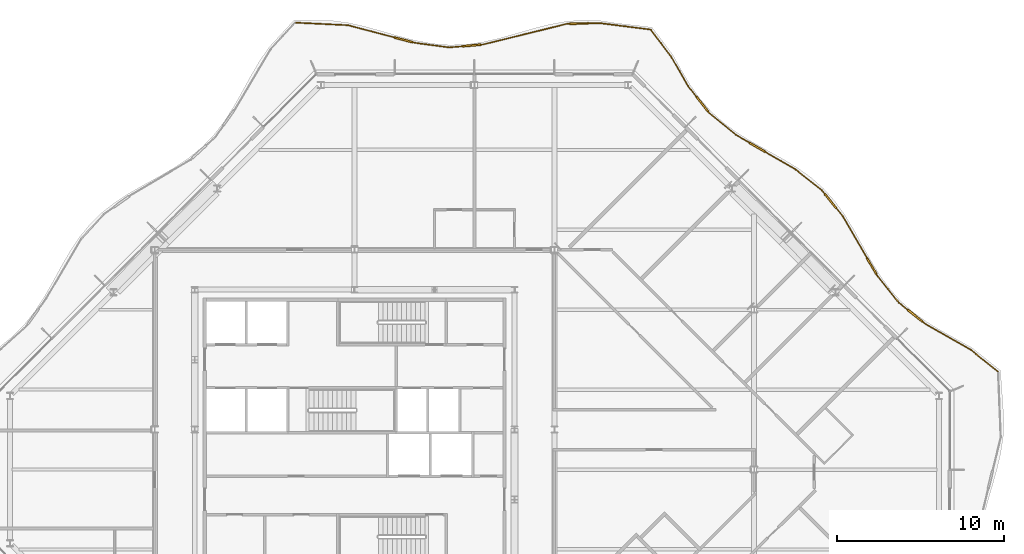
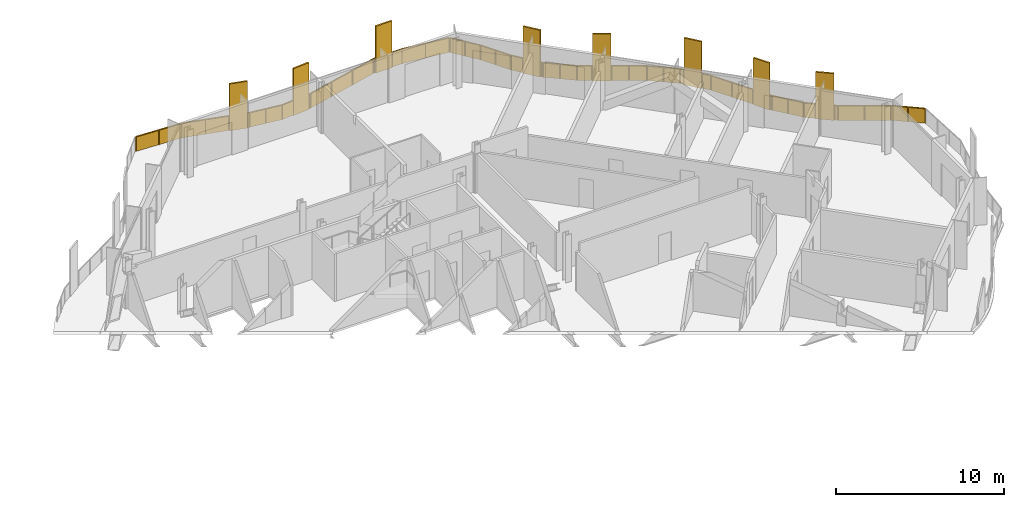
# One storey, part 17 of 17: 2 railings.
"""IFC4 building model written with IfcOpenShell, lengths in metres."""

from ifc_helpers import new_model, si_unit, direction, frame, origin, origin_2d, place, context, subcontext, project, spatial, polyline, rectangle, outline, extrude, material, type_object, element, save


model = new_model("IFC4")

# Units and contexts
model_context = context("Model", 3, precision=1e-05, world=origin(), true_north=direction((0.0, 1.0)))
body_context = subcontext(model_context, "Body", "Model", "MODEL_VIEW")
ifc_project = project(units=[si_unit("LENGTHUNIT", "METRE"), si_unit("AREAUNIT", "SQUARE_METRE"), si_unit("VOLUMEUNIT", "CUBIC_METRE"), si_unit("PLANEANGLEUNIT", "RADIAN"), si_unit("MASSUNIT", "GRAM", prefix="KILO")], contexts=[model_context])

# Site, building, storey
site_placement = place(None, origin())
site = spatial("IfcSite", under=ifc_project, at=site_placement, CompositionType="ELEMENT")
building_placement = place(site_placement, origin())
building = spatial("IfcBuilding", under=site, at=building_placement, Name="Cairn Pilgrim Tower", CompositionType="ELEMENT")
storey_placement = place(building_placement, frame((0.0, 0.0, 246.60009765625)))
storey = spatial("IfcBuildingStorey", under=building, at=storey_placement, Name="L63", CompositionType="ELEMENT", Elevation=246.60009765625)

# Railings
ifc_material = material(Name="Bronze anodised aluminium rail, posts and fin screens with laminated glass infill", Category="aluminium")
railing_type = type_object("IfcRailingType", Name="BALCONY GUARD WITH FIN SCREENS", PredefinedType="GUARDRAIL", material=ifc_material)
railing_1_placement = place(storey_placement, frame((45.8427734375, 5.88134765625, 0.0)))
element("IfcRailing", 1, at=railing_1_placement, inside=storey, type_object=railing_type, Name="Balcony guard BGF-4 with fin screens", PredefinedType="GUARDRAIL", context=body_context, shape_type="SweptSolid", body=[
    extrude(rectangle(XDim=0.050048828125, YDim=0.050048828125, at=origin_2d()), frame((0.0, 0.0, 1.0751953125), z_axis=(-0.781346220127, 0.624097816286, 0.0), x_axis=(-0.624097816286, -0.781346220127, 0.0)), (0.0, 0.0, 1.0), 2.094482421875),
    extrude(rectangle(XDim=0.050048828125, YDim=0.050048828125, at=origin_2d()), frame((-1.636474609375, 1.30712890625, 1.0751953125), z_axis=(-0.868344011313, 0.495962375606, 0.0), x_axis=(-0.495962375606, -0.868344011313, 0.0)), (0.0, 0.0, 1.0), 3.127197265625),
    extrude(rectangle(XDim=1.10009765625, YDim=0.110107421875, at=origin_2d()), frame((-4.976806640625, 3.357177734375, 0.0), z_axis=(0.0, 0.0, 1.0), x_axis=(-0.781251676118, 0.62421616333, 0.0)), (0.0, 0.0, 1.0), 3.39990234375),
    extrude(rectangle(XDim=0.050048828125, YDim=0.050048828125, at=origin_2d()), frame((-4.35205078125, 2.858154296875, 1.0751953125), z_axis=(-0.781251676118, 0.62421616333, 0.0), x_axis=(-0.62421616333, -0.781251676118, 0.0)), (0.0, 0.0, 1.0), 0.24951171875),
    extrude(rectangle(XDim=0.050048828125, YDim=0.050048828125, at=origin_2d()), frame((-5.406494140625, 3.70068359375, 1.0751953125), z_axis=(-0.781251676118, 0.62421616333, 0.0), x_axis=(-0.62421616333, -0.781251676118, 0.0)), (0.0, 0.0, 1.0), 0.70263671875),
    extrude(rectangle(XDim=0.050048828125, YDim=0.050048828125, at=origin_2d()), frame((-5.955322265625, 4.13916015625, 1.0751953125), z_axis=(-0.626348485432, 0.779543183408, 0.0), x_axis=(-0.779543183408, -0.626348485432, 0.0)), (0.0, 0.0, 1.0), 2.051025390625),
    extrude(rectangle(XDim=1.10009765625, YDim=0.110107421875, at=origin_2d()), frame((-7.591796875, 6.343505859375, 0.0), z_axis=(0.0, 0.0, 1.0), x_axis=(-0.502513380926, 0.864569431561, 0.0)), (0.0, 0.0, 1.0), 3.39990234375),
    extrude(rectangle(XDim=0.050048828125, YDim=0.050048828125, at=origin_2d()), frame((-7.239990234375, 5.738037109375, 1.0751953125), z_axis=(-0.502513380926, 0.864569431561, 0.0), x_axis=(-0.864569431561, -0.502513380926, 0.0)), (0.0, 0.0, 1.0), 0.150146484375),
    extrude(rectangle(XDim=0.050048828125, YDim=0.050048828125, at=origin_2d()), frame((-7.8681640625, 6.81884765625, 1.0751953125), z_axis=(-0.502513380926, 0.864569431561, 0.0), x_axis=(-0.864569431561, -0.502513380926, 0.0)), (0.0, 0.0, 1.0), 2.910888671875),
    extrude(rectangle(XDim=1.10009765625, YDim=0.110107421875, at=origin_2d()), frame((-10.06298828125, 10.2431640625, 0.0), z_axis=(0.0, 0.0, 1.0), x_axis=(-0.627824211501, 0.778355162797, 0.0)), (0.0, 0.0, 1.0), 3.39990234375),
    extrude(rectangle(XDim=0.050048828125, YDim=0.050048828125, at=origin_2d()), frame((-9.3310546875, 9.335693359375, 1.0751953125), z_axis=(-0.627824211501, 0.778355162797, 0.0), x_axis=(-0.778355162797, -0.627824211501, 0.0)), (0.0, 0.0, 1.0), 0.61572265625),
    extrude(rectangle(XDim=0.050048828125, YDim=0.050048828125, at=origin_2d()), frame((-10.408203125, 10.671142578125, 1.0751953125), z_axis=(-0.627824211501, 0.778355162797, 0.0), x_axis=(-0.778355162797, -0.627824211501, 0.0)), (0.0, 0.0, 1.0), 0.279052734375),
    extrude(rectangle(XDim=0.050048828125, YDim=0.050048828125, at=origin_2d()), frame((-10.58349609375, 10.888427734375, 1.0751953125), z_axis=(-0.782429083049, 0.622739696823, 0.0), x_axis=(-0.622739696823, -0.782429083049, 0.0)), (0.0, 0.0, 1.0), 1.99658203125),
    extrude(rectangle(XDim=1.10009765625, YDim=0.110107421875, at=origin_2d()), frame((-14.457275390625, 13.475341796875, 0.0), z_axis=(0.0, 0.0, 1.0), x_axis=(-0.864562899529, 0.502524619056, 0.0)), (0.0, 0.0, 1.0), 3.39990234375),
    extrude(rectangle(XDim=0.050048828125, YDim=0.050048828125, at=origin_2d()), frame((-12.145751953125, 12.1318359375, 1.0751953125), z_axis=(-0.864562899529, 0.502524619056, 0.0), x_axis=(-0.502524619056, -0.864562899529, 0.0)), (0.0, 0.0, 1.0), 2.12353515625),
    extrude(rectangle(XDim=0.050048828125, YDim=0.050048828125, at=origin_2d()), frame((-14.9326171875, 13.751708984375, 1.0751953125), z_axis=(-0.864562899529, 0.502524619056, 0.0), x_axis=(-0.502524619056, -0.864562899529, 0.0)), (0.0, 0.0, 1.0), 0.9384765625),
    extrude(rectangle(XDim=0.050048828125, YDim=0.050048828125, at=origin_2d()), frame((-15.744140625, 14.223388671875, 1.0751953125), z_axis=(-0.775414204374, 0.631452937008, 0.0), x_axis=(-0.631452937008, -0.775414204374, 0.0)), (0.0, 0.0, 1.0), 2.05029296875),
    extrude(rectangle(XDim=1.10009765625, YDim=0.110107421875, at=origin_2d()), frame((-17.767333984375, 16.06787109375, 0.0), z_axis=(0.0, 0.0, 1.0), x_axis=(-0.619007853226, 0.785384795909, 0.0)), (0.0, 0.0, 1.0), 3.39990234375),
    extrude(rectangle(XDim=0.050048828125, YDim=0.050048828125, at=origin_2d()), frame((-17.333984375, 15.51806640625, 1.0751953125), z_axis=(-0.619007853226, 0.785384795909, 0.0), x_axis=(-0.785384795909, -0.619007853226, 0.0)), (0.0, 0.0, 1.0), 0.150146484375),
    extrude(rectangle(XDim=0.050048828125, YDim=0.050048828125, at=origin_2d()), frame((-18.10791015625, 16.5, 1.0751953125), z_axis=(-0.619007853226, 0.785384795909, 0.0), x_axis=(-0.785384795909, -0.619007853226, 0.0)), (0.0, 0.0, 1.0), 0.802734375),
    extrude(rectangle(XDim=0.050048828125, YDim=0.050048828125, at=origin_2d()), frame((-18.604736328125, 17.13037109375, 1.0751953125), z_axis=(-0.499151055984, 0.866514987354, 0.0), x_axis=(-0.866514987354, -0.499151055984, 0.0)), (0.0, 0.0, 1.0), 2.083984375),
    extrude(rectangle(XDim=0.050048828125, YDim=0.050048828125, at=origin_2d()), frame((-19.64501953125, 18.936279296875, 1.0751953125), z_axis=(-0.603569235365, 0.79731059075, 0.0), x_axis=(-0.79731059075, -0.603569235365, 0.0)), (0.0, 0.0, 1.0), 1.955810546875),
    extrude(rectangle(XDim=0.050048828125, YDim=0.050048828125, at=origin_2d()), origin(), (0.0, 0.0, 1.0), 1.050048828125),
    extrude(rectangle(XDim=0.050048828125, YDim=0.050048828125, at=origin_2d()), frame((-0.818359375, 0.653564453125, 0.0)), (0.0, 0.0, 1.0), 1.050048828125),
    extrude(rectangle(XDim=0.050048828125, YDim=0.050048828125, at=origin_2d()), frame((-1.636474609375, 1.30712890625, 0.0)), (0.0, 0.0, 1.0), 1.050048828125),
    extrude(rectangle(XDim=0.050048828125, YDim=0.050048828125, at=origin_2d()), frame((-2.994140625, 2.08251953125, 0.0)), (0.0, 0.0, 1.0), 1.050048828125),
    extrude(rectangle(XDim=0.050048828125, YDim=0.050048828125, at=origin_2d()), frame((-4.35205078125, 2.858154296875, 0.0)), (0.0, 0.0, 1.0), 1.050048828125),
    extrude(rectangle(XDim=0.050048828125, YDim=0.050048828125, at=origin_2d()), frame((-4.527587890625, 2.998291015625, 0.0)), (0.0, 0.0, 1.0), 1.050048828125),
    extrude(rectangle(XDim=0.050048828125, YDim=0.050048828125, at=origin_2d()), frame((-5.426025390625, 3.71630859375, 0.0)), (0.0, 0.0, 1.0), 1.050048828125),
    extrude(rectangle(XDim=0.050048828125, YDim=0.050048828125, at=origin_2d()), frame((-5.955322265625, 4.13916015625, 0.0)), (0.0, 0.0, 1.0), 1.050048828125),
    extrude(rectangle(XDim=0.050048828125, YDim=0.050048828125, at=origin_2d()), frame((-6.59765625, 4.9384765625, 0.0)), (0.0, 0.0, 1.0), 1.050048828125),
    extrude(rectangle(XDim=0.050048828125, YDim=0.050048828125, at=origin_2d()), frame((-7.239990234375, 5.738037109375, 0.0)), (0.0, 0.0, 1.0), 1.050048828125),
    extrude(rectangle(XDim=0.050048828125, YDim=0.050048828125, at=origin_2d()), frame((-7.302978515625, 5.84619140625, 0.0)), (0.0, 0.0, 1.0), 1.050048828125),
    extrude(rectangle(XDim=0.050048828125, YDim=0.050048828125, at=origin_2d()), frame((-7.880859375, 6.840576171875, 0.0)), (0.0, 0.0, 1.0), 1.050048828125),
    extrude(rectangle(XDim=0.050048828125, YDim=0.050048828125, at=origin_2d()), frame((-8.60595703125, 8.088134765625, 0.0)), (0.0, 0.0, 1.0), 1.050048828125),
    extrude(rectangle(XDim=0.050048828125, YDim=0.050048828125, at=origin_2d()), frame((-9.3310546875, 9.335693359375, 0.0)), (0.0, 0.0, 1.0), 1.050048828125),
    extrude(rectangle(XDim=0.050048828125, YDim=0.050048828125, at=origin_2d()), frame((-9.701904296875, 9.79541015625, 0.0)), (0.0, 0.0, 1.0), 1.050048828125),
    extrude(rectangle(XDim=0.050048828125, YDim=0.050048828125, at=origin_2d()), frame((-10.423828125, 10.690673828125, 0.0)), (0.0, 0.0, 1.0), 1.050048828125),
    extrude(rectangle(XDim=0.050048828125, YDim=0.050048828125, at=origin_2d()), frame((-10.58349609375, 10.888427734375, 0.0)), (0.0, 0.0, 1.0), 1.050048828125),
    extrude(rectangle(XDim=0.050048828125, YDim=0.050048828125, at=origin_2d()), frame((-11.36474609375, 11.51025390625, 0.0)), (0.0, 0.0, 1.0), 1.050048828125),
    extrude(rectangle(XDim=0.050048828125, YDim=0.050048828125, at=origin_2d()), frame((-12.145751953125, 12.1318359375, 0.0)), (0.0, 0.0, 1.0), 1.050048828125),
    extrude(rectangle(XDim=0.050048828125, YDim=0.050048828125, at=origin_2d()), frame((-13.052978515625, 12.6591796875, 0.0)), (0.0, 0.0, 1.0), 1.050048828125),
    extrude(rectangle(XDim=0.050048828125, YDim=0.050048828125, at=origin_2d()), frame((-13.9599609375, 13.1865234375, 0.0)), (0.0, 0.0, 1.0), 1.050048828125),
    extrude(rectangle(XDim=0.050048828125, YDim=0.050048828125, at=origin_2d()), frame((-14.954345703125, 13.764404296875, 0.0)), (0.0, 0.0, 1.0), 1.050048828125),
    extrude(rectangle(XDim=0.050048828125, YDim=0.050048828125, at=origin_2d()), frame((-15.744140625, 14.223388671875, 0.0)), (0.0, 0.0, 1.0), 1.050048828125),
    extrude(rectangle(XDim=0.050048828125, YDim=0.050048828125, at=origin_2d()), frame((-16.5390625, 14.87060546875, 0.0)), (0.0, 0.0, 1.0), 1.050048828125),
    extrude(rectangle(XDim=0.050048828125, YDim=0.050048828125, at=origin_2d()), frame((-17.333984375, 15.51806640625, 0.0)), (0.0, 0.0, 1.0), 1.050048828125),
    extrude(rectangle(XDim=0.050048828125, YDim=0.050048828125, at=origin_2d()), frame((-17.411376953125, 15.616455078125, 0.0)), (0.0, 0.0, 1.0), 1.050048828125),
    extrude(rectangle(XDim=0.050048828125, YDim=0.050048828125, at=origin_2d()), frame((-18.123291015625, 16.51953125, 0.0)), (0.0, 0.0, 1.0), 1.050048828125),
    extrude(rectangle(XDim=0.050048828125, YDim=0.050048828125, at=origin_2d()), frame((-18.604736328125, 17.13037109375, 0.0)), (0.0, 0.0, 1.0), 1.050048828125),
    extrude(rectangle(XDim=0.050048828125, YDim=0.050048828125, at=origin_2d()), frame((-19.125, 18.033203125, 0.0)), (0.0, 0.0, 1.0), 1.050048828125),
    extrude(rectangle(XDim=0.050048828125, YDim=0.050048828125, at=origin_2d()), frame((-19.64501953125, 18.936279296875, 0.0)), (0.0, 0.0, 1.0), 1.050048828125),
    extrude(rectangle(XDim=0.050048828125, YDim=0.050048828125, at=origin_2d()), frame((-20.2353515625, 19.7158203125, 0.0)), (0.0, 0.0, 1.0), 1.050048828125),
    extrude(rectangle(XDim=0.050048828125, YDim=0.050048828125, at=origin_2d()), frame((-20.825439453125, 20.49560546875, 0.0)), (0.0, 0.0, 1.0), 1.050048828125),
    extrude(outline(polyline([(0.02490234375, 0.0), (1.022216796875, 0.0), (1.022216796875, 1.050048828125), (0.02490234375, 1.050048828125), (0.02490234375, 0.0)])), frame((-0.003662109375, -0.004638671875, 0.0), z_axis=(0.624097816286, 0.781346220127, 0.0), x_axis=(-0.781346220127, 0.624097816286, 0.0)), (0.0, 0.0, 1.0), 0.011962890625),
    extrude(outline(polyline([(0.02490234375, 0.0), (1.022216796875, 0.0), (1.022216796875, 1.050048828125), (0.02490234375, 1.050048828125), (0.02490234375, 0.0)])), frame((-0.822021484375, 0.64892578125, 0.0), z_axis=(0.624097816286, 0.781346220127, 0.0), x_axis=(-0.781346220127, 0.624097816286, 0.0)), (0.0, 0.0, 1.0), 0.011962890625),
    extrude(outline(polyline([(0.02490234375, 0.0), (1.53857421875, 0.0), (1.53857421875, 1.050048828125), (0.02490234375, 1.050048828125), (0.02490234375, 0.0)])), frame((-1.639404296875, 1.302001953125, 0.0), z_axis=(0.495962375606, 0.868344011313, 0.0), x_axis=(-0.868344011313, 0.495962375606, 0.0)), (0.0, 0.0, 1.0), 0.011962890625),
    extrude(outline(polyline([(0.02490234375, 0.0), (1.53857421875, 0.0), (1.53857421875, 1.050048828125), (0.02490234375, 1.050048828125), (0.02490234375, 0.0)])), frame((-2.997314453125, 2.077392578125, 0.0), z_axis=(0.495962375606, 0.868344011313, 0.0), x_axis=(-0.868344011313, 0.495962375606, 0.0)), (0.0, 0.0, 1.0), 0.011962890625),
    extrude(outline(polyline([(0.02490234375, 0.0), (0.199462890625, 0.0), (0.199462890625, 1.050048828125), (0.02490234375, 1.050048828125), (0.02490234375, 0.0)])), frame((-4.355712890625, 2.853515625, 0.0), z_axis=(0.62421616333, 0.781251676118, 0.0), x_axis=(-0.781251676118, 0.62421616333, 0.0)), (0.0, 0.0, 1.0), 0.011962890625),
    extrude(outline(polyline([(0.02490234375, 0.0), (0.652587890625, 0.0), (0.652587890625, 1.050048828125), (0.02490234375, 1.050048828125), (0.02490234375, 0.0)])), frame((-5.4296875, 3.71142578125, 0.0), z_axis=(0.62421616333, 0.781251676118, 0.0), x_axis=(-0.781251676118, 0.62421616333, 0.0)), (0.0, 0.0, 1.0), 0.011962890625),
    extrude(outline(polyline([(0.02490234375, 0.0), (1.00048828125, 0.0), (1.00048828125, 1.050048828125), (0.02490234375, 1.050048828125), (0.02490234375, 0.0)])), frame((-5.9599609375, 4.135498046875, 0.0), z_axis=(0.779543183408, 0.626348485432, 0.0), x_axis=(-0.626348485432, 0.779543183408, 0.0)), (0.0, 0.0, 1.0), 0.011962890625),
    extrude(outline(polyline([(0.02490234375, 0.0), (1.00048828125, 0.0), (1.00048828125, 1.050048828125), (0.02490234375, 1.050048828125), (0.02490234375, 0.0)])), frame((-6.602294921875, 4.934814453125, 0.0), z_axis=(0.779543183408, 0.626348485432, 0.0), x_axis=(-0.626348485432, 0.779543183408, 0.0)), (0.0, 0.0, 1.0), 0.011962890625),
    extrude(outline(polyline([(0.02490234375, 0.0), (0.10009765625, 0.0), (0.10009765625, 1.050048828125), (0.02490234375, 1.050048828125), (0.02490234375, 0.0)])), frame((-7.2451171875, 5.735107421875, 0.0), z_axis=(0.864569431561, 0.502513380926, 0.0), x_axis=(-0.502513380926, 0.864569431561, 0.0)), (0.0, 0.0, 1.0), 0.011962890625),
    extrude(outline(polyline([(0.02490234375, 0.0), (1.41796875, 0.0), (1.41796875, 1.050048828125), (0.02490234375, 1.050048828125), (0.02490234375, 0.0)])), frame((-7.885986328125, 6.837646484375, 0.0), z_axis=(0.864569431561, 0.502513380926, 0.0), x_axis=(-0.502513380926, 0.864569431561, 0.0)), (0.0, 0.0, 1.0), 0.011962890625),
    extrude(outline(polyline([(0.02490234375, 0.0), (1.41796875, 0.0), (1.41796875, 1.050048828125), (0.02490234375, 1.050048828125), (0.02490234375, 0.0)])), frame((-8.611083984375, 8.085205078125, 0.0), z_axis=(0.864569431561, 0.502513380926, 0.0), x_axis=(-0.502513380926, 0.864569431561, 0.0)), (0.0, 0.0, 1.0), 0.011962890625),
    extrude(outline(polyline([(0.02490234375, 0.0), (0.565673828125, 0.0), (0.565673828125, 1.050048828125), (0.02490234375, 1.050048828125), (0.02490234375, 0.0)])), frame((-9.335693359375, 9.33203125, 0.0), z_axis=(0.778355162797, 0.627824211501, 0.0), x_axis=(-0.627824211501, 0.778355162797, 0.0)), (0.0, 0.0, 1.0), 0.011962890625),
    extrude(outline(polyline([(0.02490234375, 0.0), (0.22900390625, 0.0), (0.22900390625, 1.050048828125), (0.02490234375, 1.050048828125), (0.02490234375, 0.0)])), frame((-10.4287109375, 10.686767578125, 0.0), z_axis=(0.778355162797, 0.627824211501, 0.0), x_axis=(-0.627824211501, 0.778355162797, 0.0)), (0.0, 0.0, 1.0), 0.011962890625),
    extrude(outline(polyline([(0.02490234375, 0.0), (0.973388671875, 0.0), (0.973388671875, 1.050048828125), (0.02490234375, 1.050048828125), (0.02490234375, 0.0)])), frame((-10.587158203125, 10.8837890625, 0.0), z_axis=(0.622739696823, 0.782429083049, 0.0), x_axis=(-0.782429083049, 0.622739696823, 0.0)), (0.0, 0.0, 1.0), 0.011962890625),
    extrude(outline(polyline([(0.02490234375, 0.0), (0.973388671875, 0.0), (0.973388671875, 1.050048828125), (0.02490234375, 1.050048828125), (0.02490234375, 0.0)])), frame((-11.368408203125, 11.50537109375, 0.0), z_axis=(0.622739696823, 0.782429083049, 0.0), x_axis=(-0.782429083049, 0.622739696823, 0.0)), (0.0, 0.0, 1.0), 0.011962890625),
    extrude(outline(polyline([(0.02490234375, 0.0), (1.024169921875, 0.0), (1.024169921875, 1.050048828125), (0.02490234375, 1.050048828125), (0.02490234375, 0.0)])), frame((-12.148681640625, 12.126708984375, 0.0), z_axis=(0.502524619056, 0.864562899529, 0.0), x_axis=(-0.864562899529, 0.502524619056, 0.0)), (0.0, 0.0, 1.0), 0.011962890625),
    extrude(outline(polyline([(0.02490234375, 0.0), (1.024169921875, 0.0), (1.024169921875, 1.050048828125), (0.02490234375, 1.050048828125), (0.02490234375, 0.0)])), frame((-13.055908203125, 12.654052734375, 0.0), z_axis=(0.502524619056, 0.864562899529, 0.0), x_axis=(-0.864562899529, 0.502524619056, 0.0)), (0.0, 0.0, 1.0), 0.011962890625),
    extrude(outline(polyline([(0.02490234375, 0.0), (0.888427734375, 0.0), (0.888427734375, 1.050048828125), (0.02490234375, 1.050048828125), (0.02490234375, 0.0)])), frame((-14.957275390625, 13.75927734375, 0.0), z_axis=(0.502524619056, 0.864562899529, 0.0), x_axis=(-0.864562899529, 0.502524619056, 0.0)), (0.0, 0.0, 1.0), 0.011962890625),
    extrude(outline(polyline([(0.02490234375, 0.0), (1.000244140625, 0.0), (1.000244140625, 1.050048828125), (0.02490234375, 1.050048828125), (0.02490234375, 0.0)])), frame((-15.747802734375, 14.21875, 0.0), z_axis=(0.631452937008, 0.775414204374, 0.0), x_axis=(-0.775414204374, 0.631452937008, 0.0)), (0.0, 0.0, 1.0), 0.011962890625),
    extrude(outline(polyline([(0.02490234375, 0.0), (1.000244140625, 0.0), (1.000244140625, 1.050048828125), (0.02490234375, 1.050048828125), (0.02490234375, 0.0)])), frame((-16.542724609375, 14.8662109375, 0.0), z_axis=(0.631452937008, 0.775414204374, 0.0), x_axis=(-0.775414204374, 0.631452937008, 0.0)), (0.0, 0.0, 1.0), 0.011962890625),
    extrude(outline(polyline([(0.02490234375, 0.0), (0.10009765625, 0.0), (0.10009765625, 1.050048828125), (0.02490234375, 1.050048828125), (0.02490234375, 0.0)])), frame((-17.338623046875, 15.514404296875, 0.0), z_axis=(0.785384795909, 0.619007853226, 0.0), x_axis=(-0.619007853226, 0.785384795909, 0.0)), (0.0, 0.0, 1.0), 0.011962890625),
    extrude(outline(polyline([(0.02490234375, 0.0), (0.752685546875, 0.0), (0.752685546875, 1.050048828125), (0.02490234375, 1.050048828125), (0.02490234375, 0.0)])), frame((-18.1279296875, 16.515869140625, 0.0), z_axis=(0.785384795909, 0.619007853226, 0.0), x_axis=(-0.619007853226, 0.785384795909, 0.0)), (0.0, 0.0, 1.0), 0.011962890625),
    extrude(outline(polyline([(0.02490234375, 0.0), (1.01708984375, 0.0), (1.01708984375, 1.050048828125), (0.02490234375, 1.050048828125), (0.02490234375, 0.0)])), frame((-18.60986328125, 17.12744140625, 0.0), z_axis=(0.866514987354, 0.499151055984, 0.0), x_axis=(-0.499151055984, 0.866514987354, 0.0)), (0.0, 0.0, 1.0), 0.011962890625),
    extrude(outline(polyline([(0.02490234375, 0.0), (1.01708984375, 0.0), (1.01708984375, 1.050048828125), (0.02490234375, 1.050048828125), (0.02490234375, 0.0)])), frame((-19.130126953125, 18.0302734375, 0.0), z_axis=(0.866514987354, 0.499151055984, 0.0), x_axis=(-0.499151055984, 0.866514987354, 0.0)), (0.0, 0.0, 1.0), 0.011962890625),
    extrude(outline(polyline([(0.02490234375, 0.0), (0.952880859375, 0.0), (0.952880859375, 1.050048828125), (0.02490234375, 1.050048828125), (0.02490234375, 0.0)])), frame((-19.64990234375, 18.9326171875, 0.0), z_axis=(0.79731059075, 0.603569235365, 0.0), x_axis=(-0.603569235365, 0.79731059075, 0.0)), (0.0, 0.0, 1.0), 0.011962890625),
    extrude(outline(polyline([(0.02490234375, 0.0), (0.952880859375, 0.0), (0.952880859375, 1.050048828125), (0.02490234375, 1.050048828125), (0.02490234375, 0.0)])), frame((-20.239990234375, 19.71240234375, 0.0), z_axis=(0.79731059075, 0.603569235365, 0.0), x_axis=(-0.603569235365, 0.79731059075, 0.0)), (0.0, 0.0, 1.0), 0.011962890625),
])
railing_2_placement = place(storey_placement, frame((24.981201171875, 26.424560546875, 0.0)))
element("IfcRailing", 2, at=railing_2_placement, inside=storey, type_object=railing_type, Name="Balcony guard BGF-5 with fin screens", PredefinedType="GUARDRAIL", context=body_context, shape_type="SweptSolid", body=[
    extrude(rectangle(XDim=0.050048828125, YDim=0.050048828125, at=origin_2d()), frame((0.0, 0.0, 1.0751953125), z_axis=(-0.992062270108, 0.125747573447, 0.0), x_axis=(-0.125747573447, -0.992062270108, 0.0)), (0.0, 0.0, 1.0), 3.03466796875),
    extrude(rectangle(XDim=1.10009765625, YDim=0.110107421875, at=origin_2d()), frame((-4.303955078125, 0.361572265625, 0.0), z_axis=(0.0, 0.0, 1.0), x_axis=(-0.999880952259, -0.015429883648, 0.0)), (0.0, 0.0, 1.0), 3.39990234375),
    extrude(rectangle(XDim=0.050048828125, YDim=0.050048828125, at=origin_2d()), frame((-3.010498046875, 0.381591796875, 1.0751953125), z_axis=(-0.999880952259, -0.015429883648, 0.0), x_axis=(0.015429883648, -0.999880952259, 0.0)), (0.0, 0.0, 1.0), 0.74365234375),
    extrude(rectangle(XDim=0.050048828125, YDim=0.050048828125, at=origin_2d()), frame((-4.85400390625, 0.35302734375, 1.0751953125), z_axis=(-0.999880952259, -0.015429883648, 0.0), x_axis=(0.015429883648, -0.999880952259, 0.0)), (0.0, 0.0, 1.0), 0.14990234375),
    extrude(rectangle(XDim=0.050048828125, YDim=0.050048828125, at=origin_2d()), frame((-5.00390625, 0.350830078125, 1.0751953125), z_axis=(-0.970938361719, -0.239329684208, 0.0), x_axis=(0.239329684208, -0.970938361719, 0.0)), (0.0, 0.0, 1.0), 5.198486328125),
    extrude(rectangle(XDim=1.10009765625, YDim=0.110107421875, at=origin_2d()), frame((-10.74853515625, -0.954345703125, 0.0), z_axis=(0.0, 0.0, 1.0), x_axis=(-0.996197710337, -0.087121305777, 0.0)), (0.0, 0.0, 1.0), 3.39990234375),
    extrude(rectangle(XDim=0.050048828125, YDim=0.050048828125, at=origin_2d()), frame((-10.05126953125, -0.893310546875, 1.0751953125), z_axis=(-0.996197710337, -0.087121305777, 0.0), x_axis=(0.087121305777, -0.996197710337, 0.0)), (0.0, 0.0, 1.0), 0.150146484375),
    extrude(rectangle(XDim=0.050048828125, YDim=0.050048828125, at=origin_2d()), frame((-11.296630859375, -1.002197265625, 1.0751953125), z_axis=(-0.996197710337, -0.087121305777, 0.0), x_axis=(0.087121305777, -0.996197710337, 0.0)), (0.0, 0.0, 1.0), 0.806884765625),
    extrude(rectangle(XDim=0.050048828125, YDim=0.050048828125, at=origin_2d()), frame((-12.100341796875, -1.072509765625, 1.0751953125), z_axis=(-0.991225835439, 0.132179208495, 0.0), x_axis=(-0.132179208495, -0.991225835439, 0.0)), (0.0, 0.0, 1.0), 2.06494140625),
    extrude(rectangle(XDim=1.10009765625, YDim=0.110107421875, at=origin_2d()), frame((-14.83984375, -0.6171875, 0.0), z_axis=(0.0, 0.0, 1.0), x_axis=(-0.967063927609, 0.254533612548, 0.0)), (0.0, 0.0, 1.0), 3.39990234375),
    extrude(rectangle(XDim=0.050048828125, YDim=0.050048828125, at=origin_2d()), frame((-14.147216796875, -0.799560546875, 1.0751953125), z_axis=(-0.967063927609, 0.254533612548, 0.0), x_axis=(-0.254533612548, -0.967063927609, 0.0)), (0.0, 0.0, 1.0), 0.166259765625),
    extrude(rectangle(XDim=0.050048828125, YDim=0.050048828125, at=origin_2d()), frame((-15.371826171875, -0.477294921875, 1.0751953125), z_axis=(-0.967063927609, 0.254533612548, 0.0), x_axis=(-0.254533612548, -0.967063927609, 0.0)), (0.0, 0.0, 1.0), 2.906982421875),
    extrude(rectangle(XDim=0.050048828125, YDim=0.050048828125, at=origin_2d()), frame((-18.18310546875, 0.2626953125, 1.0751953125), z_axis=(-0.998825783001, 0.048446415897, 0.0), x_axis=(-0.048446415897, -0.998825783001, 0.0)), (0.0, 0.0, 1.0), 3.119384765625),
    extrude(rectangle(XDim=0.050048828125, YDim=0.050048828125, at=origin_2d()), origin(), (0.0, 0.0, 1.0), 1.050048828125),
    extrude(rectangle(XDim=0.050048828125, YDim=0.050048828125, at=origin_2d()), frame((-1.50537109375, 0.190673828125, 0.0)), (0.0, 0.0, 1.0), 1.050048828125),
    extrude(rectangle(XDim=0.050048828125, YDim=0.050048828125, at=origin_2d()), frame((-3.010498046875, 0.381591796875, 0.0)), (0.0, 0.0, 1.0), 1.050048828125),
    extrude(rectangle(XDim=0.050048828125, YDim=0.050048828125, at=origin_2d()), frame((-3.72900390625, 0.37060546875, 0.0)), (0.0, 0.0, 1.0), 1.050048828125),
    extrude(rectangle(XDim=0.050048828125, YDim=0.050048828125, at=origin_2d()), frame((-4.87890625, 0.352783203125, 0.0)), (0.0, 0.0, 1.0), 1.050048828125),
    extrude(rectangle(XDim=0.050048828125, YDim=0.050048828125, at=origin_2d()), frame((-5.00390625, 0.350830078125, 0.0)), (0.0, 0.0, 1.0), 1.050048828125),
    extrude(rectangle(XDim=0.050048828125, YDim=0.050048828125, at=origin_2d()), frame((-6.686279296875, -0.06396484375, 0.0)), (0.0, 0.0, 1.0), 1.050048828125),
    extrude(rectangle(XDim=0.050048828125, YDim=0.050048828125, at=origin_2d()), frame((-8.368896484375, -0.478515625, 0.0)), (0.0, 0.0, 1.0), 1.050048828125),
    extrude(rectangle(XDim=0.050048828125, YDim=0.050048828125, at=origin_2d()), frame((-10.05126953125, -0.893310546875, 0.0)), (0.0, 0.0, 1.0), 1.050048828125),
    extrude(rectangle(XDim=0.050048828125, YDim=0.050048828125, at=origin_2d()), frame((-10.17578125, -0.904296875, 0.0)), (0.0, 0.0, 1.0), 1.050048828125),
    extrude(rectangle(XDim=0.050048828125, YDim=0.050048828125, at=origin_2d()), frame((-11.321533203125, -1.00439453125, 0.0)), (0.0, 0.0, 1.0), 1.050048828125),
    extrude(rectangle(XDim=0.050048828125, YDim=0.050048828125, at=origin_2d()), frame((-12.100341796875, -1.072509765625, 0.0)), (0.0, 0.0, 1.0), 1.050048828125),
    extrude(rectangle(XDim=0.050048828125, YDim=0.050048828125, at=origin_2d()), frame((-13.123779296875, -0.93603515625, 0.0)), (0.0, 0.0, 1.0), 1.050048828125),
    extrude(rectangle(XDim=0.050048828125, YDim=0.050048828125, at=origin_2d()), frame((-14.147216796875, -0.799560546875, 0.0)), (0.0, 0.0, 1.0), 1.050048828125),
    extrude(rectangle(XDim=0.050048828125, YDim=0.050048828125, at=origin_2d()), frame((-14.28369140625, -0.763671875, 0.0)), (0.0, 0.0, 1.0), 1.050048828125),
    extrude(rectangle(XDim=0.050048828125, YDim=0.050048828125, at=origin_2d()), frame((-15.39599609375, -0.470947265625, 0.0)), (0.0, 0.0, 1.0), 1.050048828125),
    extrude(rectangle(XDim=0.050048828125, YDim=0.050048828125, at=origin_2d()), frame((-16.78955078125, -0.10400390625, 0.0)), (0.0, 0.0, 1.0), 1.050048828125),
    extrude(rectangle(XDim=0.050048828125, YDim=0.050048828125, at=origin_2d()), frame((-18.18310546875, 0.2626953125, 0.0)), (0.0, 0.0, 1.0), 1.050048828125),
    extrude(rectangle(XDim=0.050048828125, YDim=0.050048828125, at=origin_2d()), frame((-19.740966796875, 0.33837890625, 0.0)), (0.0, 0.0, 1.0), 1.050048828125),
    extrude(rectangle(XDim=0.050048828125, YDim=0.050048828125, at=origin_2d()), frame((-21.298828125, 0.413818359375, 0.0)), (0.0, 0.0, 1.0), 1.050048828125),
    extrude(outline(polyline([(0.02490234375, 0.0), (1.4921875, 0.0), (1.4921875, 1.050048828125), (0.02490234375, 1.050048828125), (0.02490234375, 0.0)])), frame((-0.000732421875, -0.005859375, 0.0), z_axis=(0.125747573447, 0.992062270108, 0.0), x_axis=(-0.992062270108, 0.125747573447, 0.0)), (0.0, 0.0, 1.0), 0.011962890625),
    extrude(outline(polyline([(0.02490234375, 0.0), (1.4921875, 0.0), (1.4921875, 1.050048828125), (0.02490234375, 1.050048828125), (0.02490234375, 0.0)])), frame((-1.506103515625, 0.184814453125, 0.0), z_axis=(0.125747573447, 0.992062270108, 0.0), x_axis=(-0.992062270108, 0.125747573447, 0.0)), (0.0, 0.0, 1.0), 0.011962890625),
    extrude(outline(polyline([(0.02490234375, 0.0), (0.693603515625, 0.0), (0.693603515625, 1.050048828125), (0.02490234375, 1.050048828125), (0.02490234375, 0.0)])), frame((-3.010498046875, 0.375732421875, 0.0), z_axis=(-0.015429883648, 0.999880952259, 0.0), x_axis=(-0.999880952259, -0.015429883648, 0.0)), (0.0, 0.0, 1.0), 0.011962890625),
    extrude(outline(polyline([(0.02490234375, 0.0), (0.099853515625, 0.0), (0.099853515625, 1.050048828125), (0.02490234375, 1.050048828125), (0.02490234375, 0.0)])), frame((-4.87890625, 0.3466796875, 0.0), z_axis=(-0.015429883648, 0.999880952259, 0.0), x_axis=(-0.999880952259, -0.015429883648, 0.0)), (0.0, 0.0, 1.0), 0.011962890625),
    extrude(outline(polyline([(0.02490234375, 0.0), (1.707763671875, 0.0), (1.707763671875, 1.050048828125), (0.02490234375, 1.050048828125), (0.02490234375, 0.0)])), frame((-5.00244140625, 0.344970703125, 0.0), z_axis=(-0.239329684208, 0.970938361719, 0.0), x_axis=(-0.970938361719, -0.239329684208, 0.0)), (0.0, 0.0, 1.0), 0.011962890625),
    extrude(outline(polyline([(0.02490234375, 0.0), (1.707763671875, 0.0), (1.707763671875, 1.050048828125), (0.02490234375, 1.050048828125), (0.02490234375, 0.0)])), frame((-6.684814453125, -0.069580078125, 0.0), z_axis=(-0.239329684208, 0.970938361719, 0.0), x_axis=(-0.970938361719, -0.239329684208, 0.0)), (0.0, 0.0, 1.0), 0.011962890625),
    extrude(outline(polyline([(0.02490234375, 0.0), (1.707763671875, 0.0), (1.707763671875, 1.050048828125), (0.02490234375, 1.050048828125), (0.02490234375, 0.0)])), frame((-8.367431640625, -0.484375, 0.0), z_axis=(-0.239329684208, 0.970938361719, 0.0), x_axis=(-0.970938361719, -0.239329684208, 0.0)), (0.0, 0.0, 1.0), 0.011962890625),
    extrude(outline(polyline([(0.02490234375, 0.0), (0.10009765625, 0.0), (0.10009765625, 1.050048828125), (0.02490234375, 1.050048828125), (0.02490234375, 0.0)])), frame((-10.05078125, -0.899169921875, 0.0), z_axis=(-0.087121305777, 0.996197710337, 0.0), x_axis=(-0.996197710337, -0.087121305777, 0.0)), (0.0, 0.0, 1.0), 0.011962890625),
    extrude(outline(polyline([(0.02490234375, 0.0), (0.7568359375, 0.0), (0.7568359375, 1.050048828125), (0.02490234375, 1.050048828125), (0.02490234375, 0.0)])), frame((-11.321044921875, -1.01025390625, 0.0), z_axis=(-0.087121305777, 0.996197710337, 0.0), x_axis=(-0.996197710337, -0.087121305777, 0.0)), (0.0, 0.0, 1.0), 0.011962890625),
    extrude(outline(polyline([(0.02490234375, 0.0), (1.007568359375, 0.0), (1.007568359375, 1.050048828125), (0.02490234375, 1.050048828125), (0.02490234375, 0.0)])), frame((-12.10107421875, -1.078369140625, 0.0), z_axis=(0.132179208495, 0.991225835439, 0.0), x_axis=(-0.991225835439, 0.132179208495, 0.0)), (0.0, 0.0, 1.0), 0.011962890625),
    extrude(outline(polyline([(0.02490234375, 0.0), (1.007568359375, 0.0), (1.007568359375, 1.050048828125), (0.02490234375, 1.050048828125), (0.02490234375, 0.0)])), frame((-13.12451171875, -0.94189453125, 0.0), z_axis=(0.132179208495, 0.991225835439, 0.0), x_axis=(-0.991225835439, 0.132179208495, 0.0)), (0.0, 0.0, 1.0), 0.011962890625),
    extrude(outline(polyline([(0.02490234375, 0.0), (0.1162109375, 0.0), (0.1162109375, 1.050048828125), (0.02490234375, 1.050048828125), (0.02490234375, 0.0)])), frame((-14.148681640625, -0.805419921875, 0.0), z_axis=(0.254533612548, 0.967063927609, 0.0), x_axis=(-0.967063927609, 0.254533612548, 0.0)), (0.0, 0.0, 1.0), 0.011962890625),
    extrude(outline(polyline([(0.02490234375, 0.0), (1.416015625, 0.0), (1.416015625, 1.050048828125), (0.02490234375, 1.050048828125), (0.02490234375, 0.0)])), frame((-15.3974609375, -0.4765625, 0.0), z_axis=(0.254533612548, 0.967063927609, 0.0), x_axis=(-0.967063927609, 0.254533612548, 0.0)), (0.0, 0.0, 1.0), 0.011962890625),
    extrude(outline(polyline([(0.02490234375, 0.0), (1.416015625, 0.0), (1.416015625, 1.050048828125), (0.02490234375, 1.050048828125), (0.02490234375, 0.0)])), frame((-16.791015625, -0.10986328125, 0.0), z_axis=(0.254533612548, 0.967063927609, 0.0), x_axis=(-0.967063927609, 0.254533612548, 0.0)), (0.0, 0.0, 1.0), 0.011962890625),
    extrude(outline(polyline([(0.02490234375, 0.0), (1.53466796875, 0.0), (1.53466796875, 1.050048828125), (0.02490234375, 1.050048828125), (0.02490234375, 0.0)])), frame((-18.183349609375, 0.2568359375, 0.0), z_axis=(0.048446415897, 0.998825783001, 0.0), x_axis=(-0.998825783001, 0.048446415897, 0.0)), (0.0, 0.0, 1.0), 0.011962890625),
    extrude(outline(polyline([(0.02490234375, 0.0), (1.53466796875, 0.0), (1.53466796875, 1.050048828125), (0.02490234375, 1.050048828125), (0.02490234375, 0.0)])), frame((-19.7412109375, 0.332275390625, 0.0), z_axis=(0.048446415897, 0.998825783001, 0.0), x_axis=(-0.998825783001, 0.048446415897, 0.0)), (0.0, 0.0, 1.0), 0.011962890625),
])

save(model, "model.ifc")
